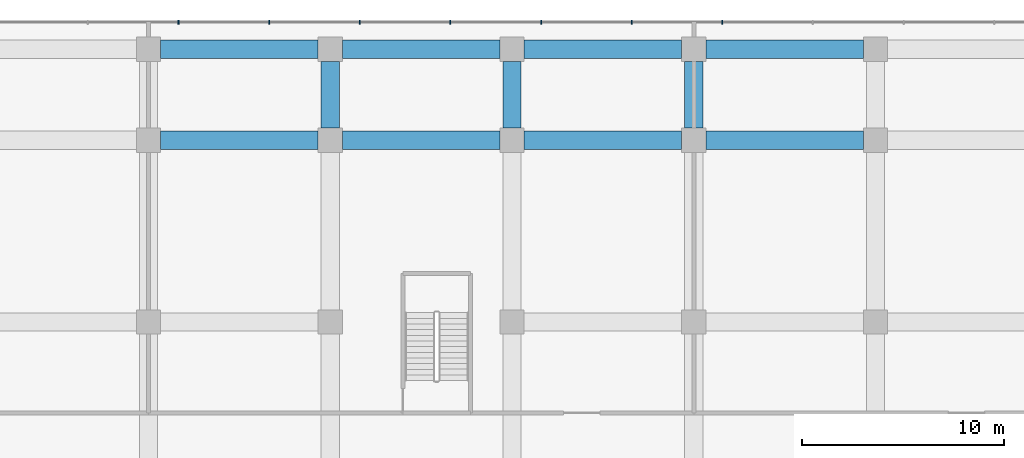
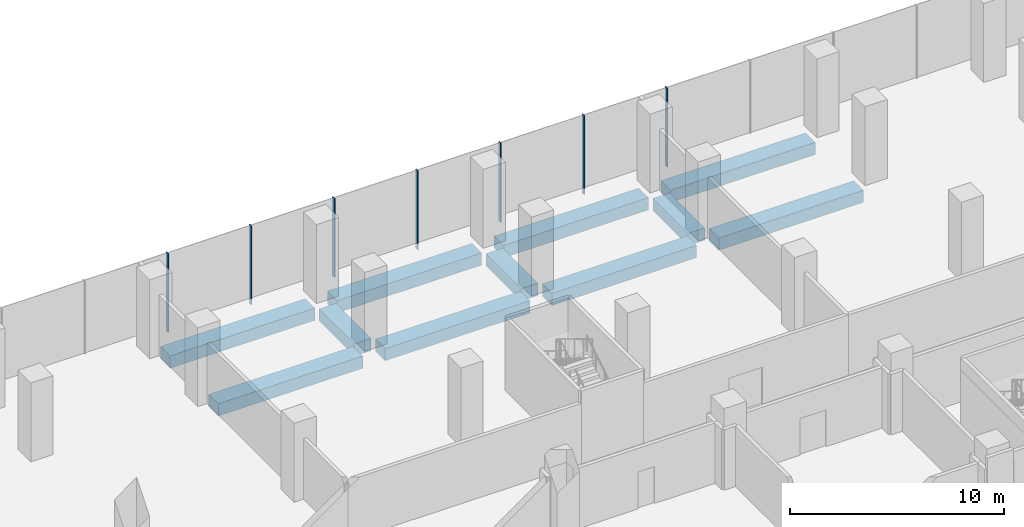
# One storey, part 24 of 43: 11 beams, 7 members, 1 element without a shape of its own.
"""IFC4 building model written with IfcOpenShell, lengths in metres."""

from ifc_helpers import new_model, si_unit, direction, frame, origin, origin_2d, place, context, subcontext, project, spatial, rectangle, extrude, material, layer, layer_set, material_profile, profile_set, type_object, element, aggregate, save


model = new_model("IFC4")

# Units and contexts
model_context = context("Model", 3, precision=1e-05, world=origin(), true_north=direction((0.0, 1.0)))
body_context = subcontext(model_context, "Body", "Model", "MODEL_VIEW")
ifc_project = project(units=[si_unit("LENGTHUNIT", "METRE"), si_unit("AREAUNIT", "SQUARE_METRE"), si_unit("VOLUMEUNIT", "CUBIC_METRE"), si_unit("PLANEANGLEUNIT", "RADIAN"), si_unit("MASSUNIT", "GRAM", prefix="KILO")], contexts=[model_context])

# Site, building, storey
site_placement = place(None, origin())
site = spatial("IfcSite", under=ifc_project, at=site_placement, CompositionType="ELEMENT")
building_placement = place(site_placement, origin())
building = spatial("IfcBuilding", under=site, at=building_placement, Name="Plateau Cross Towers", CompositionType="ELEMENT")
storey_placement = place(building_placement, frame((0.0, 0.0, 12.800048828125)))
storey = spatial("IfcBuildingStorey", under=building, at=storey_placement, Name="L02", CompositionType="ELEMENT", Elevation=12.800048828125)

# Curtain wall, members
ifc_material_1 = material(Name="Dark low-iron laminated glass", Category="glass")
ifc_layer = layer(ifc_material_1, 0.300048828125)
ifc_layer_set = layer_set([ifc_layer], Name="Dark low-iron laminated glass")
curtain_wall_type = type_object("IfcCurtainWallType", Name="Curtain wall structural silicone CW-C", PredefinedType="NOTDEFINED", material=ifc_layer_set)
curtain_wall_placement = place(storey_placement, origin())
curtain_wall = element("IfcCurtainWall", 1, at=curtain_wall_placement, inside=storey, type_object=curtain_wall_type, Name="ENV/P/L02/P1048_598", PredefinedType="NOTDEFINED")
ifc_material_2 = material(Name="Black anodised aluminium", Category="aluminium")
ifc_material_profile_1 = material_profile(ifc_material_2, rectangle(XDim=0.050048828125, YDim=0.199951171875, at=origin_2d()), Name="MULLION 50x200")
ifc_profile_set_1 = profile_set([ifc_material_profile_1], Name="Black anodised aluminium")
member_type = type_object("IfcMemberType", Name="Mullion 50x200 structural silicone", PredefinedType="MULLION", material=ifc_profile_set_1)
member_1_placement = place(storey_placement, frame((82.41259765625, 59.85009765625, -0.35009765625), z_axis=(0.0, 0.0, 1.0), x_axis=(-1.0, 0.0, 0.0)))
member_1 = element("IfcMember", 2, at=member_1_placement, type_object=member_type, Name="CW-C mullion 6", PredefinedType="MULLION", context=body_context, shape_type="SweptSolid", body=[
    extrude(rectangle(XDim=0.050048828125, YDim=0.199951171875, at=origin_2d()), origin(), (0.0, 0.0, 1.0), 4.5),
])
member_2_placement = place(storey_placement, frame((77.925048828125, 59.85009765625, -0.35009765625), z_axis=(0.0, 0.0, 1.0), x_axis=(-1.0, 0.0, 0.0)))
member_2 = element("IfcMember", 3, at=member_2_placement, type_object=member_type, Name="CW-C mullion 7", PredefinedType="MULLION", context=body_context, shape_type="SweptSolid", body=[
    extrude(rectangle(XDim=0.050048828125, YDim=0.199951171875, at=origin_2d()), origin(), (0.0, 0.0, 1.0), 4.5),
])
member_3_placement = place(storey_placement, frame((73.4375, 59.85009765625, -0.35009765625), z_axis=(0.0, 0.0, 1.0), x_axis=(-1.0, 0.0, 0.0)))
member_3 = element("IfcMember", 4, at=member_3_placement, type_object=member_type, Name="CW-C mullion 8", PredefinedType="MULLION", context=body_context, shape_type="SweptSolid", body=[
    extrude(rectangle(XDim=0.050048828125, YDim=0.199951171875, at=origin_2d()), origin(), (0.0, 0.0, 1.0), 4.5),
])
member_4_placement = place(storey_placement, frame((68.949951171875, 59.85009765625, -0.35009765625), z_axis=(0.0, 0.0, 1.0), x_axis=(-1.0, 0.0, 0.0)))
member_4 = element("IfcMember", 5, at=member_4_placement, type_object=member_type, Name="CW-C mullion 9", PredefinedType="MULLION", context=body_context, shape_type="SweptSolid", body=[
    extrude(rectangle(XDim=0.050048828125, YDim=0.199951171875, at=origin_2d()), origin(), (0.0, 0.0, 1.0), 4.5),
])
member_5_placement = place(storey_placement, frame((64.46240234375, 59.85009765625, -0.35009765625), z_axis=(0.0, 0.0, 1.0), x_axis=(-1.0, 0.0, 0.0)))
member_5 = element("IfcMember", 6, at=member_5_placement, type_object=member_type, Name="CW-C mullion 10", PredefinedType="MULLION", context=body_context, shape_type="SweptSolid", body=[
    extrude(rectangle(XDim=0.050048828125, YDim=0.199951171875, at=origin_2d()), origin(), (0.0, 0.0, 1.0), 4.5),
])
member_6_placement = place(storey_placement, frame((59.97509765625, 59.85009765625, -0.35009765625), z_axis=(0.0, 0.0, 1.0), x_axis=(-1.0, 0.0, 0.0)))
member_6 = element("IfcMember", 7, at=member_6_placement, type_object=member_type, Name="CW-C mullion 11", PredefinedType="MULLION", context=body_context, shape_type="SweptSolid", body=[
    extrude(rectangle(XDim=0.050048828125, YDim=0.199951171875, at=origin_2d()), origin(), (0.0, 0.0, 1.0), 4.5),
])
member_7_placement = place(storey_placement, frame((55.487548828125, 59.85009765625, -0.35009765625), z_axis=(0.0, 0.0, 1.0), x_axis=(-1.0, 0.0, 0.0)))
member_7 = element("IfcMember", 8, at=member_7_placement, type_object=member_type, Name="CW-C mullion 12", PredefinedType="MULLION", context=body_context, shape_type="SweptSolid", body=[
    extrude(rectangle(XDim=0.050048828125, YDim=0.199951171875, at=origin_2d()), origin(), (0.0, 0.0, 1.0), 4.5),
])
aggregate(curtain_wall, [member_1, member_2, member_3, member_4, member_5, member_6, member_7])

# Beams
ifc_material_3 = material(Name="Concrete C50/60", Category="concrete")
ifc_material_profile_2 = material_profile(ifc_material_3, rectangle(XDim=0.89990234375, YDim=0.699951171875, at=origin_2d()), Name="RC 900x700")
ifc_profile_set_2 = profile_set([ifc_material_profile_2], Name="Concrete C50/60")
beam_type = type_object("IfcBeamType", Name="Podium band beam RC 900x700", PredefinedType="BEAM", material=ifc_profile_set_2)
for number, where, z_axis, x_axis, name in (
    (9, (54.60009765625, 54.0, -0.699951171875), (1.0, 0.0, 0.0), (0.0, 1.0, 0.0), "PB74@L02"),
    (10, (63.60009765625, 54.0, -0.699951171875), (1.0, 0.0, 0.0), (0.0, 1.0, 0.0), "PB75@L02"),
    (11, (72.60009765625, 54.0, -0.699951171875), (1.0, 0.0, 0.0), (0.0, 1.0, 0.0), "PB76@L02"),
    (12, (81.60009765625, 54.0, -0.699951171875), (1.0, 0.0, 0.0), (0.0, 1.0, 0.0), "PB77@L02"),
    (13, (54.60009765625, 58.5, -0.699951171875), (1.0, 0.0, 0.0), (0.0, 1.0, 0.0), "PB87@L02"),
    (14, (63.60009765625, 58.5, -0.699951171875), (1.0, 0.0, 0.0), (0.0, 1.0, 0.0), "PB88@L02"),
    (15, (72.60009765625, 58.5, -0.699951171875), (1.0, 0.0, 0.0), (0.0, 1.0, 0.0), "PB89@L02"),
    (16, (81.60009765625, 58.5, -0.699951171875), (1.0, 0.0, 0.0), (0.0, 1.0, 0.0), "PB90@L02"),
):
    element("IfcBeam", number, at=place(storey_placement, frame(where, z_axis=z_axis, x_axis=x_axis)), inside=storey, type_object=beam_type, Name=name, PredefinedType="BEAM", context=body_context, shape_type="SweptSolid", body=[
        extrude(rectangle(XDim=0.89990234375, YDim=0.699951171875, at=origin_2d()), origin(), (0.0, 0.0, 1.0), 7.7998046875),
    ])
for number, where, z_axis, x_axis, name in (
    (17, (63.0, 54.60009765625, -0.699951171875), (0.0, 1.0, 0.0), (-1.0, 0.0, 0.0), "PB156@L02"),
    (18, (72.0, 54.60009765625, -0.699951171875), (0.0, 1.0, 0.0), (-1.0, 0.0, 0.0), "PB160@L02"),
    (19, (81.0, 54.60009765625, -0.699951171875), (0.0, 1.0, 0.0), (-1.0, 0.0, 0.0), "PB164@L02"),
):
    element("IfcBeam", number, at=place(storey_placement, frame(where, z_axis=z_axis, x_axis=x_axis)), inside=storey, type_object=beam_type, Name=name, PredefinedType="BEAM", context=body_context, shape_type="SweptSolid", body=[
        extrude(rectangle(XDim=0.89990234375, YDim=0.699951171875, at=origin_2d()), origin(), (0.0, 0.0, 1.0), 3.2998046875),
    ])

save(model, "model.ifc")
